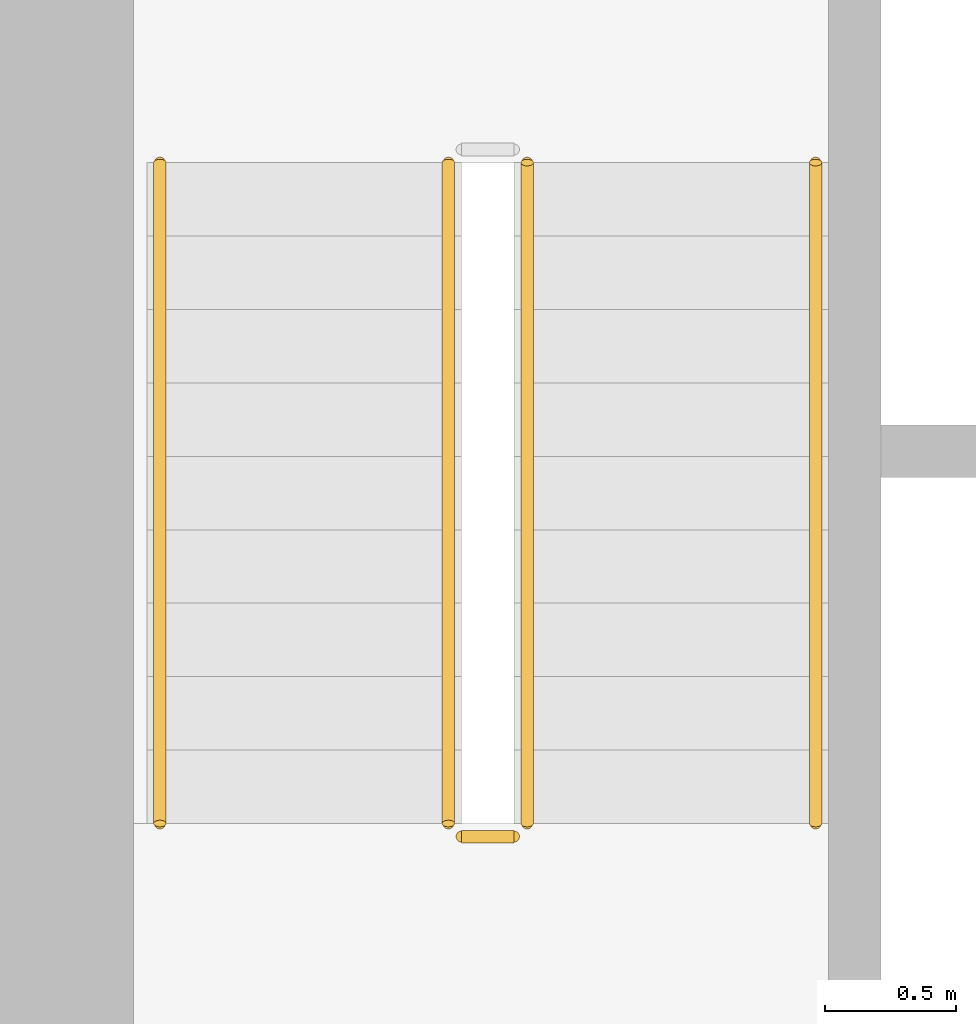
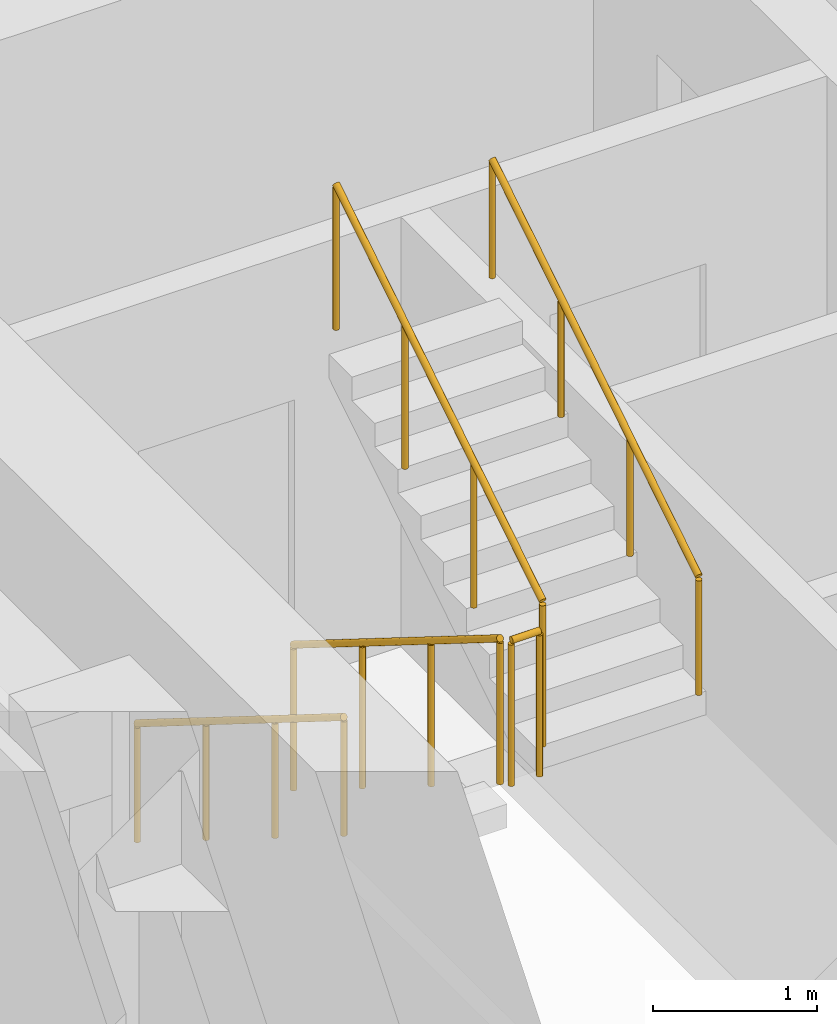
# One storey, part 14 of 21: 5 railings.
"""IFC4 building model written with IfcOpenShell, lengths in metres."""

from ifc_helpers import new_model, si_unit, direction, frame, origin, origin_2d, place, context, subcontext, project, spatial, circle, extrude, material, type_object, element, save


model = new_model("IFC4")

# Units and contexts
model_context = context("Model", 3, precision=1e-05, world=origin(), true_north=direction((0.0, 1.0)))
body_context = subcontext(model_context, "Body", "Model", "MODEL_VIEW")
ifc_project = project(units=[si_unit("LENGTHUNIT", "METRE"), si_unit("AREAUNIT", "SQUARE_METRE"), si_unit("VOLUMEUNIT", "CUBIC_METRE"), si_unit("PLANEANGLEUNIT", "RADIAN"), si_unit("MASSUNIT", "GRAM", prefix="KILO")], contexts=[model_context])

# Site, building, storey
site_placement = place(None, origin())
site = spatial("IfcSite", under=ifc_project, at=site_placement, CompositionType="ELEMENT")
building_placement = place(site_placement, origin())
building = spatial("IfcBuilding", under=site, at=building_placement, Name="Kiln Ring Residences", CompositionType="ELEMENT")
storey_placement = place(building_placement, frame((0.0, 0.0, 220.39990234375)))
storey = spatial("IfcBuildingStorey", under=building, at=storey_placement, Name="L57", CompositionType="ELEMENT", Elevation=220.39990234375)

# Railings
ifc_material_1 = material(Name="Stainless steel", Category="steel")
railing_type_1 = type_object("IfcRailingType", Name="CORE-STAIR-GUARD", PredefinedType="GUARDRAIL", material=ifc_material_1)
railing_1_placement = place(storey_placement, frame((-22.25, 8.39990234375, 0.175048828125)))
element("IfcRailing", 1, at=railing_1_placement, inside=storey, type_object=railing_type_1, Name="L57 W-STN stair guard 1", PredefinedType="GUARDRAIL", context=body_context, shape_type="SweptSolid", body=[
    extrude(circle(Radius=0.02392578125, at=origin_2d()), frame((0.0, 0.0, 1.076171875), z_axis=(0.0, -0.848007534815, 0.529984170421), x_axis=(1.0, 0.0, 0.0)), (0.0, 0.0, 1.0), 2.9716796875),
    extrude(circle(Radius=0.02099609375, at=origin_2d()), origin(), (0.0, 0.0, 1.0), 1.052001953125),
    extrude(circle(Radius=0.02099609375, at=origin_2d()), frame((0.0, -0.840087890625, 0.52490234375)), (0.0, 0.0, 1.0), 1.052001953125),
    extrude(circle(Radius=0.02099609375, at=origin_2d()), frame((0.0, -1.679931640625, 1.050048828125)), (0.0, 0.0, 1.0), 1.052001953125),
    extrude(circle(Radius=0.02099609375, at=origin_2d()), frame((0.0, -2.52001953125, 1.574951171875)), (0.0, 0.0, 1.0), 1.052001953125),
])
railing_2_placement = place(storey_placement, frame((-22.199951171875, 5.830078125, 1.75)))
element("IfcRailing", 2, at=railing_2_placement, inside=storey, type_object=railing_type_1, Name="L57 W-STN stair guard 2", PredefinedType="GUARDRAIL", context=body_context, shape_type="SweptSolid", body=[
    extrude(circle(Radius=0.02392578125, at=origin_2d()), frame((0.0, 0.0, 1.076171875), z_axis=(1.0, 0.0, 0.0), x_axis=(0.0, 1.0, 0.0)), (0.0, 0.0, 1.0), 0.199951171875),
    extrude(circle(Radius=0.02099609375, at=origin_2d()), origin(), (0.0, 0.0, 1.0), 1.052001953125),
    extrude(circle(Radius=0.02099609375, at=origin_2d()), frame((0.199951171875, 0.0, 0.0)), (0.0, 0.0, 1.0), 1.052001953125),
])
railing_3_placement = place(storey_placement, frame((-21.949951171875, 5.8798828125, 1.925048828125)))
element("IfcRailing", 3, at=railing_3_placement, inside=storey, type_object=railing_type_1, Name="L57 W-STN stair guard 3", PredefinedType="GUARDRAIL", context=body_context, shape_type="SweptSolid", body=[
    extrude(circle(Radius=0.02392578125, at=origin_2d()), frame((0.0, 0.0, 1.076171875), z_axis=(0.0, 0.848007534815, 0.529984170421), x_axis=(-1.0, 0.0, 0.0)), (0.0, 0.0, 1.0), 2.9716796875),
    extrude(circle(Radius=0.02099609375, at=origin_2d()), origin(), (0.0, 0.0, 1.0), 1.052001953125),
    extrude(circle(Radius=0.02099609375, at=origin_2d()), frame((0.0, 0.840087890625, 0.52490234375)), (0.0, 0.0, 1.0), 1.052001953125),
    extrude(circle(Radius=0.02099609375, at=origin_2d()), frame((0.0, 1.679931640625, 1.050048828125)), (0.0, 0.0, 1.0), 1.052001953125),
    extrude(circle(Radius=0.02099609375, at=origin_2d()), frame((0.0, 2.52001953125, 1.574951171875)), (0.0, 0.0, 1.0), 1.052001953125),
])
ifc_material_2 = material(Name="Stainless steel", Category="steel")
railing_type_2 = type_object("IfcRailingType", Name="CORE-STAIR-HANDRAIL", PredefinedType="HANDRAIL", material=ifc_material_2)
railing_4_placement = place(storey_placement, frame((-23.35009765625, 8.39990234375, 0.175048828125)))
element("IfcRailing", 4, at=railing_4_placement, inside=storey, type_object=railing_type_2, Name="L57 W-STN stair handrail 1", PredefinedType="HANDRAIL", context=body_context, shape_type="SweptSolid", body=[
    extrude(circle(Radius=0.02392578125, at=origin_2d()), frame((0.0, 0.0, 0.8759765625), z_axis=(0.0, -0.848007534815, 0.529984170421), x_axis=(1.0, 0.0, 0.0)), (0.0, 0.0, 1.0), 2.9716796875),
    extrude(circle(Radius=0.02099609375, at=origin_2d()), origin(), (0.0, 0.0, 1.0), 0.851806640625),
    extrude(circle(Radius=0.02099609375, at=origin_2d()), frame((0.0, -0.840087890625, 0.52490234375)), (0.0, 0.0, 1.0), 0.851806640625),
    extrude(circle(Radius=0.02099609375, at=origin_2d()), frame((0.0, -1.679931640625, 1.050048828125)), (0.0, 0.0, 1.0), 0.851806640625),
    extrude(circle(Radius=0.02099609375, at=origin_2d()), frame((0.0, -2.52001953125, 1.574951171875)), (0.0, 0.0, 1.0), 0.851806640625),
])
railing_5_placement = place(storey_placement, frame((-20.85009765625, 5.8798828125, 1.925048828125)))
element("IfcRailing", 5, at=railing_5_placement, inside=storey, type_object=railing_type_2, Name="L57 W-STN stair handrail 2", PredefinedType="HANDRAIL", context=body_context, shape_type="SweptSolid", body=[
    extrude(circle(Radius=0.02392578125, at=origin_2d()), frame((0.0, 0.0, 0.8759765625), z_axis=(0.0, 0.848007534815, 0.529984170421), x_axis=(-1.0, 0.0, 0.0)), (0.0, 0.0, 1.0), 2.9716796875),
    extrude(circle(Radius=0.02099609375, at=origin_2d()), origin(), (0.0, 0.0, 1.0), 0.851806640625),
    extrude(circle(Radius=0.02099609375, at=origin_2d()), frame((0.0, 0.840087890625, 0.52490234375)), (0.0, 0.0, 1.0), 0.851806640625),
    extrude(circle(Radius=0.02099609375, at=origin_2d()), frame((0.0, 1.679931640625, 1.050048828125)), (0.0, 0.0, 1.0), 0.851806640625),
    extrude(circle(Radius=0.02099609375, at=origin_2d()), frame((0.0, 2.52001953125, 1.574951171875)), (0.0, 0.0, 1.0), 0.851806640625),
])

save(model, "model.ifc")
